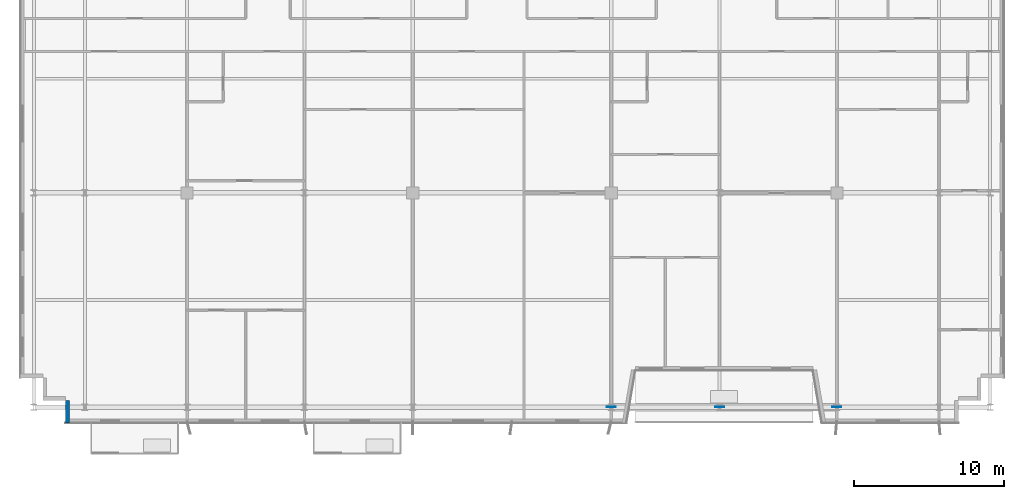
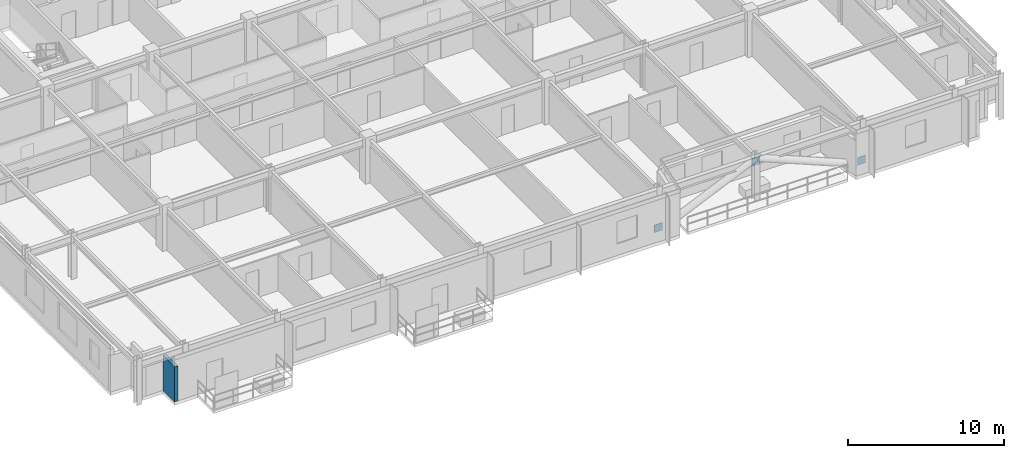
# One storey, part 14 of 22: 3 plates, 1 wall.
"""IFC4 building model written with IfcOpenShell, lengths in metres."""

from ifc_helpers import new_model, si_unit, direction, frame, frame_2d, origin, origin_2d, place, context, subcontext, project, spatial, rectangle, extrude, source, transform, mapped, material, layer, layer_set, type_object, element, save


model = new_model("IFC4")

# Units and contexts
model_context = context("Model", 3, precision=1e-05, world=origin(), true_north=direction((0.0, 1.0)))
body_context = subcontext(model_context, "Body", "Model", "MODEL_VIEW")
ifc_project = project(units=[si_unit("LENGTHUNIT", "METRE"), si_unit("AREAUNIT", "SQUARE_METRE"), si_unit("VOLUMEUNIT", "CUBIC_METRE"), si_unit("PLANEANGLEUNIT", "RADIAN"), si_unit("MASSUNIT", "GRAM", prefix="KILO")], contexts=[model_context])

# Site, building, storey
site_placement = place(None, origin())
site = spatial("IfcSite", under=ifc_project, at=site_placement, CompositionType="ELEMENT")
building_placement = place(site_placement, origin())
building = spatial("IfcBuilding", under=site, at=building_placement, Name="Trelvane Seafront Commons", CompositionType="ELEMENT")
storey_placement = place(building_placement, frame((0.0, 0.0, 121.300048828125)))
storey = spatial("IfcBuildingStorey", under=building, at=storey_placement, Name="L31", CompositionType="ELEMENT", Elevation=121.300048828125)

# Plates
ifc_material_1 = material(Name="Steel SM355 (S355)", Category="steel")
ifc_layer_1 = layer(ifc_material_1, 0.031982421875, Name="STR-PLT-GUS2")
ifc_layer_set_1 = layer_set([ifc_layer_1], Name="Steel SM355 (S355)")
plate_type = type_object("IfcPlateType", Name="STR-PLT-GUS2", PredefinedType="SHEET", material=ifc_layer_set_1)
shared_shape = source(origin(), body_context, "Body", "SweptSolid", [
    extrude(rectangle(XDim=0.60009765625, YDim=0.031982421875, at=origin_2d()), origin(), (0.0, 0.0, 1.0), 0.60009765625),
])
for number, where, z_axis, x_axis, name in (
    (1, (43.800048828125, 3.949951171875, -0.02001953125), (0.0, 0.0, 1.0), (1.0, 0.0, 0.0), "L31 Brace Connection Gusset Plate GP-171"),
    (2, (51.0, 3.949951171875, 2.639892578125), (0.0, 0.0, 1.0), (1.0, 0.0, 0.0), "L31 Brace Connection Gusset Plate GP-172"),
    (3, (58.800048828125, 3.949951171875, -0.02001953125), (0.0, 0.0, 1.0), (1.0, 0.0, 0.0), "L31 Brace Connection Gusset Plate GP-173"),
):
    element("IfcPlate", number, at=place(storey_placement, frame(where, z_axis=z_axis, x_axis=x_axis)), inside=storey, type_object=plate_type, Name=name, PredefinedType="SHEET", context=body_context, shape_type="MappedRepresentation", body=[
        mapped(shared_shape, transform((0.0, 0.0, 0.0), x_axis=(1.0, 0.0, 0.0), y_axis=(0.0, 1.0, 0.0), z_axis=(0.0, 0.0, 1.0), scale=1.0)),
    ])

# Wall
ifc_material_2 = material(Name="Precast concrete C40/50", Category="concrete")
ifc_layer_2 = layer(ifc_material_2, 0.260009765625, Name="ARCH-WALL-EXT260")
ifc_layer_set_2 = layer_set([ifc_layer_2], Name="Precast concrete C40/50")
wall_type = type_object("IfcWallType", Name="ARCH-WALL-EXT260", PredefinedType="SOLIDWALL", material=ifc_layer_set_2)
wall_placement = place(storey_placement, frame((7.6298828125, 2.89990234375, 0.0), z_axis=(0.0, 0.0, 1.0), x_axis=(0.0, 1.0, 0.0)))
element("IfcWall", 4, at=wall_placement, inside=storey, type_object=wall_type, Name="EW-L31-00604", PredefinedType="SOLIDWALL", context=body_context, shape_type="SweptSolid", body=[
    extrude(rectangle(XDim=1.5, YDim=0.260009765625, at=frame_2d((0.75, 0.0))), origin(), (0.0, 0.0, 1.0), 2.751953125),
])

save(model, "model.ifc")
